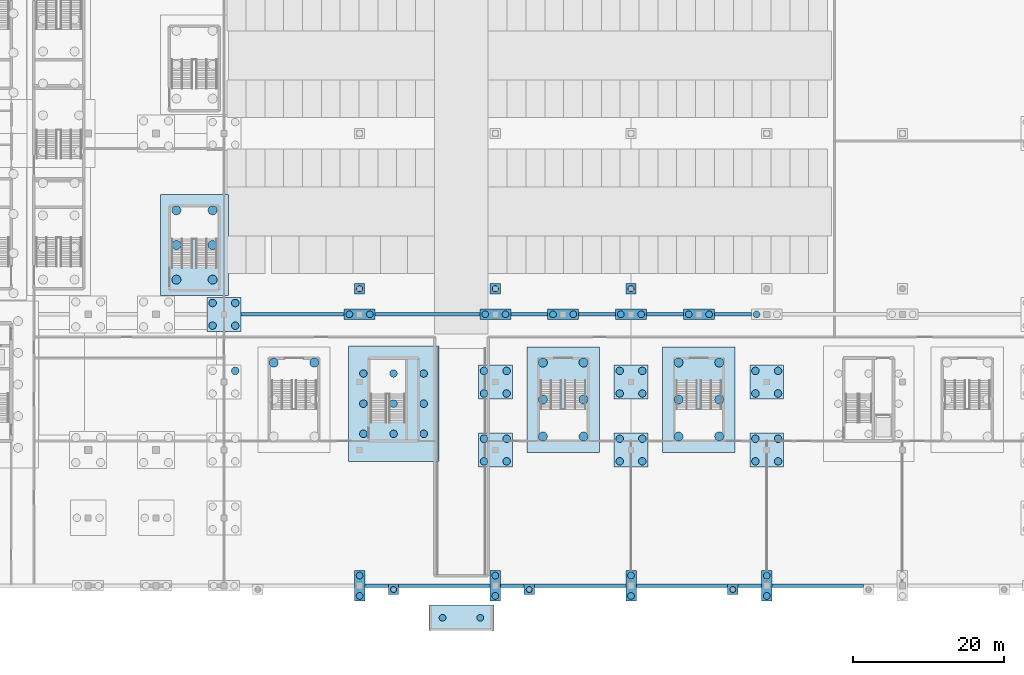
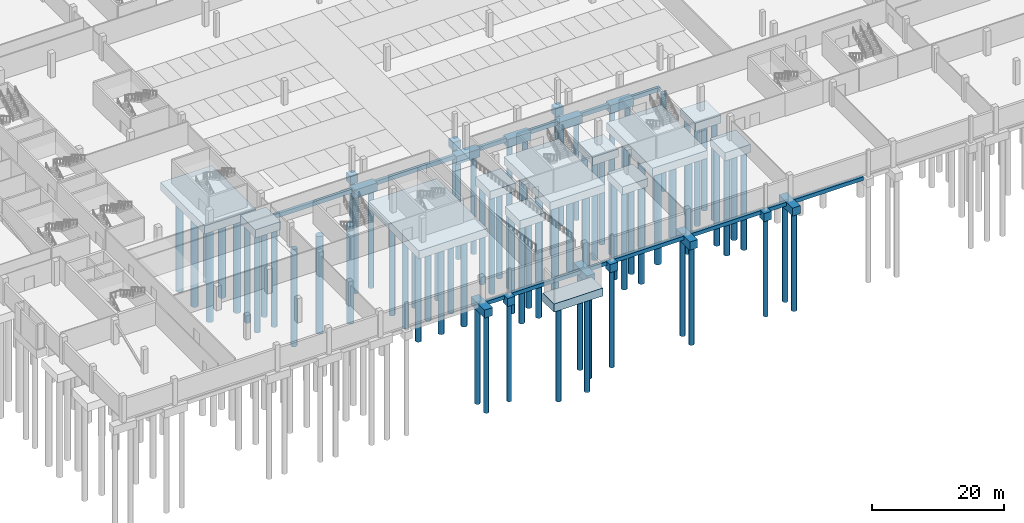
# One storey, part 2 of 46: 85 piles, 40 footings.
"""IFC4 building model written with IfcOpenShell, lengths in metres."""

from ifc_helpers import new_model, si_unit, direction, frame, origin, origin_2d, place, context, subcontext, project, spatial, polyline, circle, outline, extrude, material, material_profile, profile_set, type_object, element, save


model = new_model("IFC4")

# Units and contexts
model_context = context("Model", 3, precision=1e-05, world=origin(), true_north=direction((0.0, 1.0)))
body_context = subcontext(model_context, "Body", "Model", "MODEL_VIEW")
ifc_project = project(units=[si_unit("LENGTHUNIT", "METRE"), si_unit("AREAUNIT", "SQUARE_METRE"), si_unit("VOLUMEUNIT", "CUBIC_METRE"), si_unit("PLANEANGLEUNIT", "RADIAN"), si_unit("MASSUNIT", "GRAM", prefix="KILO")], contexts=[model_context])

# Site, building, storey
site_placement = place(None, origin())
site = spatial("IfcSite", under=ifc_project, at=site_placement, CompositionType="ELEMENT")
building_placement = place(site_placement, origin())
building = spatial("IfcBuilding", under=site, at=building_placement, Name="Kisiwana Market Hall", CompositionType="ELEMENT")
storey_placement = place(building_placement, frame((0.0, 0.0, -4.5)))
storey = spatial("IfcBuildingStorey", under=building, at=storey_placement, Name="B1", CompositionType="ELEMENT", Elevation=-4.5)

# Footings
ifc_material_1 = material(Name="Concrete C40/50", Category="concrete")
footing_type_1 = type_object("IfcFootingType", Name="FB-TIE-450x700", PredefinedType="FOOTING_BEAM", material=ifc_material_1)
footing_1_placement = place(storey_placement, frame((0.0, 0.0, -1.14990234375)))
element("IfcFooting", 1, at=footing_1_placement, inside=storey, type_object=footing_type_1, Name="Ground tie beam F-206", PredefinedType="FOOTING_BEAM", context=body_context, shape_type="SweptSolid", body=[
    extrude(outline(polyline([(63.699951171875, -0.22509765625), (66.824951171875, -0.22509765625), (66.824951171875, 0.22509765625), (63.699951171875, 0.22509765625), (63.699951171875, -0.22509765625)])), origin(), (0.0, 0.0, 1.0), 0.699951171875),
])
footing_2_placement = place(storey_placement, frame((0.0, 0.0, -1.14990234375)))
element("IfcFooting", 2, at=footing_2_placement, inside=storey, type_object=footing_type_1, Name="Ground tie beam F-207", PredefinedType="FOOTING_BEAM", context=body_context, shape_type="SweptSolid", body=[
    extrude(outline(polyline([(68.175048828125, -0.22509765625), (80.300048828125, -0.22509765625), (80.300048828125, 0.22509765625), (68.175048828125, 0.22509765625), (68.175048828125, -0.22509765625)])), origin(), (0.0, 0.0, 1.0), 0.699951171875),
])
footing_3_placement = place(storey_placement, frame((0.0, 0.0, -1.14990234375)))
element("IfcFooting", 3, at=footing_3_placement, inside=storey, type_object=footing_type_1, Name="Ground tie beam F-208", PredefinedType="FOOTING_BEAM", context=body_context, shape_type="SweptSolid", body=[
    extrude(outline(polyline([(81.699951171875, -0.22509765625), (84.824951171875, -0.22509765625), (84.824951171875, 0.22509765625), (81.699951171875, 0.22509765625), (81.699951171875, -0.22509765625)])), origin(), (0.0, 0.0, 1.0), 0.699951171875),
])
footing_4_placement = place(storey_placement, frame((0.0, 0.0, -1.14990234375)))
element("IfcFooting", 4, at=footing_4_placement, inside=storey, type_object=footing_type_1, Name="Ground tie beam F-209", PredefinedType="FOOTING_BEAM", context=body_context, shape_type="SweptSolid", body=[
    extrude(outline(polyline([(86.175048828125, -0.22509765625), (98.300048828125, -0.22509765625), (98.300048828125, 0.22509765625), (86.175048828125, 0.22509765625), (86.175048828125, -0.22509765625)])), origin(), (0.0, 0.0, 1.0), 0.699951171875),
])
footing_5_placement = place(storey_placement, frame((0.0, 0.0, -1.14990234375)))
element("IfcFooting", 5, at=footing_5_placement, inside=storey, type_object=footing_type_1, Name="Ground tie beam F-210", PredefinedType="FOOTING_BEAM", context=body_context, shape_type="SweptSolid", body=[
    extrude(outline(polyline([(99.699951171875, -0.22509765625), (111.824951171875, -0.22509765625), (111.824951171875, 0.22509765625), (99.699951171875, 0.22509765625), (99.699951171875, -0.22509765625)])), origin(), (0.0, 0.0, 1.0), 0.699951171875),
])
footing_6_placement = place(storey_placement, frame((0.0, 0.0, -1.14990234375)))
element("IfcFooting", 6, at=footing_6_placement, inside=storey, type_object=footing_type_1, Name="Ground tie beam F-211", PredefinedType="FOOTING_BEAM", context=body_context, shape_type="SweptSolid", body=[
    extrude(outline(polyline([(113.175048828125, -0.22509765625), (116.300048828125, -0.22509765625), (116.300048828125, 0.22509765625), (113.175048828125, 0.22509765625), (113.175048828125, -0.22509765625)])), origin(), (0.0, 0.0, 1.0), 0.699951171875),
])
footing_7_placement = place(storey_placement, frame((0.0, 0.0, -1.14990234375)))
element("IfcFooting", 7, at=footing_7_placement, inside=storey, type_object=footing_type_1, Name="Ground tie beam F-212", PredefinedType="FOOTING_BEAM", context=body_context, shape_type="SweptSolid", body=[
    extrude(outline(polyline([(117.699951171875, -0.22509765625), (129.824951171875, -0.22509765625), (129.824951171875, 0.22509765625), (117.699951171875, 0.22509765625), (117.699951171875, -0.22509765625)])), origin(), (0.0, 0.0, 1.0), 0.699951171875),
])
ifc_material_2 = material(Name="Concrete C40/50", Category="concrete")
footing_type_2 = type_object("IfcFootingType", Name="FB-TIE-500x750", PredefinedType="FOOTING_BEAM", material=ifc_material_2)
footing_8_placement = place(storey_placement, frame((0.0, 0.0, -1.199951171875)))
element("IfcFooting", 8, at=footing_8_placement, inside=storey, type_object=footing_type_2, Name="Ground tie beam F-224", PredefinedType="FOOTING_BEAM", context=body_context, shape_type="SweptSolid", body=[
    extrude(outline(polyline([(47.25, 35.75), (60.949951171875, 35.75), (60.949951171875, 36.25), (47.25, 36.25), (47.25, 35.75)])), origin(), (0.0, 0.0, 1.0), 0.75),
])
footing_9_placement = place(storey_placement, frame((0.0, 0.0, -1.199951171875)))
element("IfcFooting", 9, at=footing_9_placement, inside=storey, type_object=footing_type_2, Name="Ground tie beam F-225", PredefinedType="FOOTING_BEAM", context=body_context, shape_type="SweptSolid", body=[
    extrude(outline(polyline([(65.050048828125, 35.75), (78.949951171875, 35.75), (78.949951171875, 36.25), (65.050048828125, 36.25), (65.050048828125, 35.75)])), origin(), (0.0, 0.0, 1.0), 0.75),
])
footing_10_placement = place(storey_placement, frame((0.0, 0.0, -1.199951171875)))
element("IfcFooting", 10, at=footing_10_placement, inside=storey, type_object=footing_type_2, Name="Ground tie beam F-226", PredefinedType="FOOTING_BEAM", context=body_context, shape_type="SweptSolid", body=[
    extrude(outline(polyline([(83.050048828125, 35.75), (87.949951171875, 35.75), (87.949951171875, 36.25), (83.050048828125, 36.25), (83.050048828125, 35.75)])), origin(), (0.0, 0.0, 1.0), 0.75),
])
footing_11_placement = place(storey_placement, frame((0.0, 0.0, -1.199951171875)))
element("IfcFooting", 11, at=footing_11_placement, inside=storey, type_object=footing_type_2, Name="Ground tie beam F-227", PredefinedType="FOOTING_BEAM", context=body_context, shape_type="SweptSolid", body=[
    extrude(outline(polyline([(92.050048828125, 35.75), (96.949951171875, 35.75), (96.949951171875, 36.25), (92.050048828125, 36.25), (92.050048828125, 35.75)])), origin(), (0.0, 0.0, 1.0), 0.75),
])
footing_12_placement = place(storey_placement, frame((0.0, 0.0, -1.199951171875)))
element("IfcFooting", 12, at=footing_12_placement, inside=storey, type_object=footing_type_2, Name="Ground tie beam F-228", PredefinedType="FOOTING_BEAM", context=body_context, shape_type="SweptSolid", body=[
    extrude(outline(polyline([(101.050048828125, 35.75), (105.949951171875, 35.75), (105.949951171875, 36.25), (101.050048828125, 36.25), (101.050048828125, 35.75)])), origin(), (0.0, 0.0, 1.0), 0.75),
])
footing_13_placement = place(storey_placement, frame((0.0, 0.0, -1.199951171875)))
element("IfcFooting", 13, at=footing_13_placement, inside=storey, type_object=footing_type_2, Name="Ground tie beam F-229", PredefinedType="FOOTING_BEAM", context=body_context, shape_type="SweptSolid", body=[
    extrude(outline(polyline([(110.050048828125, 35.75), (114.949951171875, 35.75), (114.949951171875, 36.25), (110.050048828125, 36.25), (110.050048828125, 35.75)])), origin(), (0.0, 0.0, 1.0), 0.75),
])
ifc_material_3 = material(Name="Concrete C40/50", Category="concrete")
footing_type_3 = type_object("IfcFootingType", Name="PC-1P-800", PredefinedType="PILE_CAP", material=ifc_material_3)
footing_14_placement = place(storey_placement, frame((0.0, 0.0, -1.949951171875)))
element("IfcFooting", 14, at=footing_14_placement, inside=storey, type_object=footing_type_3, Name="Pilaster cap F-139", PredefinedType="PILE_CAP", context=body_context, shape_type="SweptSolid", body=[
    extrude(outline(polyline([(66.824951171875, -1.175048828125), (68.175048828125, -1.175048828125), (68.175048828125, 0.175048828125), (66.824951171875, 0.175048828125), (66.824951171875, -1.175048828125)])), origin(), (0.0, 0.0, 1.0), 1.5),
])
footing_15_placement = place(storey_placement, frame((0.0, 0.0, -1.949951171875)))
element("IfcFooting", 15, at=footing_15_placement, inside=storey, type_object=footing_type_3, Name="Pilaster cap F-140", PredefinedType="PILE_CAP", context=body_context, shape_type="SweptSolid", body=[
    extrude(outline(polyline([(84.824951171875, -1.175048828125), (86.175048828125, -1.175048828125), (86.175048828125, 0.175048828125), (84.824951171875, 0.175048828125), (84.824951171875, -1.175048828125)])), origin(), (0.0, 0.0, 1.0), 1.5),
])
footing_16_placement = place(storey_placement, frame((0.0, 0.0, -1.949951171875)))
element("IfcFooting", 16, at=footing_16_placement, inside=storey, type_object=footing_type_3, Name="Pilaster cap F-141", PredefinedType="PILE_CAP", context=body_context, shape_type="SweptSolid", body=[
    extrude(outline(polyline([(111.824951171875, -1.175048828125), (113.175048828125, -1.175048828125), (113.175048828125, 0.175048828125), (111.824951171875, 0.175048828125), (111.824951171875, -1.175048828125)])), origin(), (0.0, 0.0, 1.0), 1.5),
])
footing_17_placement = place(storey_placement, frame((0.0, 0.0, -1.949951171875)))
element("IfcFooting", 17, at=footing_17_placement, inside=storey, type_object=footing_type_3, Name="Gallery post cap F-150", PredefinedType="PILE_CAP", context=body_context, shape_type="SweptSolid", body=[
    extrude(outline(polyline([(62.324951171875, 38.72509765625), (63.675048828125, 38.72509765625), (63.675048828125, 40.074951171875), (62.324951171875, 40.074951171875), (62.324951171875, 38.72509765625)])), origin(), (0.0, 0.0, 1.0), 1.5),
])
footing_18_placement = place(storey_placement, frame((0.0, 0.0, -1.949951171875)))
element("IfcFooting", 18, at=footing_18_placement, inside=storey, type_object=footing_type_3, Name="Gallery post cap F-152", PredefinedType="PILE_CAP", context=body_context, shape_type="SweptSolid", body=[
    extrude(outline(polyline([(80.324951171875, 38.72509765625), (81.675048828125, 38.72509765625), (81.675048828125, 40.074951171875), (80.324951171875, 40.074951171875), (80.324951171875, 38.72509765625)])), origin(), (0.0, 0.0, 1.0), 1.5),
])
footing_19_placement = place(storey_placement, frame((0.0, 0.0, -1.949951171875)))
element("IfcFooting", 19, at=footing_19_placement, inside=storey, type_object=footing_type_3, Name="Gallery post cap F-154", PredefinedType="PILE_CAP", context=body_context, shape_type="SweptSolid", body=[
    extrude(outline(polyline([(98.324951171875, 38.72509765625), (99.675048828125, 38.72509765625), (99.675048828125, 40.074951171875), (98.324951171875, 40.074951171875), (98.324951171875, 38.72509765625)])), origin(), (0.0, 0.0, 1.0), 1.5),
])
ifc_material_4 = material(Name="Concrete C40/50", Category="concrete")
footing_type_4 = type_object("IfcFootingType", Name="PC-2P-900", PredefinedType="PILE_CAP", material=ifc_material_4)
footing_20_placement = place(storey_placement, frame((0.0, 0.0, -1.949951171875)))
element("IfcFooting", 20, at=footing_20_placement, inside=storey, type_object=footing_type_4, Name="Pile cap F-048 at E/8", PredefinedType="PILE_CAP", context=body_context, shape_type="SweptSolid", body=[
    extrude(outline(polyline([(60.949951171875, 35.300048828125), (65.050048828125, 35.300048828125), (65.050048828125, 36.699951171875), (60.949951171875, 36.699951171875), (60.949951171875, 35.300048828125)])), origin(), (0.0, 0.0, 1.0), 1.5),
])
footing_21_placement = place(storey_placement, frame((0.0, 0.0, -1.949951171875)))
element("IfcFooting", 21, at=footing_21_placement, inside=storey, type_object=footing_type_4, Name="Pile cap F-056 at E/10", PredefinedType="PILE_CAP", context=body_context, shape_type="SweptSolid", body=[
    extrude(outline(polyline([(78.949951171875, 35.300048828125), (83.050048828125, 35.300048828125), (83.050048828125, 36.699951171875), (78.949951171875, 36.699951171875), (78.949951171875, 35.300048828125)])), origin(), (0.0, 0.0, 1.0), 1.5),
])
footing_22_placement = place(storey_placement, frame((0.0, 0.0, -1.949951171875)))
element("IfcFooting", 22, at=footing_22_placement, inside=storey, type_object=footing_type_4, Name="Pile cap F-063 at E/11", PredefinedType="PILE_CAP", context=body_context, shape_type="SweptSolid", body=[
    extrude(outline(polyline([(87.949951171875, 35.300048828125), (92.050048828125, 35.300048828125), (92.050048828125, 36.699951171875), (87.949951171875, 36.699951171875), (87.949951171875, 35.300048828125)])), origin(), (0.0, 0.0, 1.0), 1.5),
])
footing_23_placement = place(storey_placement, frame((0.0, 0.0, -1.949951171875)))
element("IfcFooting", 23, at=footing_23_placement, inside=storey, type_object=footing_type_4, Name="Pile cap F-068 at E/12", PredefinedType="PILE_CAP", context=body_context, shape_type="SweptSolid", body=[
    extrude(outline(polyline([(96.949951171875, 35.300048828125), (101.050048828125, 35.300048828125), (101.050048828125, 36.699951171875), (96.949951171875, 36.699951171875), (96.949951171875, 35.300048828125)])), origin(), (0.0, 0.0, 1.0), 1.5),
])
footing_24_placement = place(storey_placement, frame((0.0, 0.0, -1.949951171875)))
element("IfcFooting", 24, at=footing_24_placement, inside=storey, type_object=footing_type_4, Name="Pile cap F-075 at E/13", PredefinedType="PILE_CAP", context=body_context, shape_type="SweptSolid", body=[
    extrude(outline(polyline([(105.949951171875, 35.300048828125), (110.050048828125, 35.300048828125), (110.050048828125, 36.699951171875), (105.949951171875, 36.699951171875), (105.949951171875, 35.300048828125)])), origin(), (0.0, 0.0, 1.0), 1.5),
])
footing_25_placement = place(storey_placement, frame((0.0, 0.0, -1.949951171875)))
element("IfcFooting", 25, at=footing_25_placement, inside=storey, type_object=footing_type_4, Name="Vehicle driveway apron foundation raft F-001", PredefinedType="PILE_CAP", context=body_context, shape_type="SweptSolid", body=[
    extrude(outline(polyline([(72.199951171875, -5.949951171875), (80.800048828125, -5.949951171875), (80.800048828125, -2.550048828125), (72.199951171875, -2.550048828125), (72.199951171875, -5.949951171875)])), origin(), (0.0, 0.0, 1.0), 1.5),
])
ifc_material_5 = material(Name="Concrete C40/50", Category="concrete")
footing_type_5 = type_object("IfcFootingType", Name="PC-2P-900V", PredefinedType="PILE_CAP", material=ifc_material_5)
footing_26_placement = place(storey_placement, frame((0.0, 0.0, -1.949951171875)))
element("IfcFooting", 26, at=footing_26_placement, inside=storey, type_object=footing_type_5, Name="Pile cap F-047 at A/8", PredefinedType="PILE_CAP", context=body_context, shape_type="SweptSolid", body=[
    extrude(outline(polyline([(62.300048828125, -2.050048828125), (63.699951171875, -2.050048828125), (63.699951171875, 2.050048828125), (62.300048828125, 2.050048828125), (62.300048828125, -2.050048828125)])), origin(), (0.0, 0.0, 1.0), 1.5),
])
footing_27_placement = place(storey_placement, frame((0.0, 0.0, -1.949951171875)))
element("IfcFooting", 27, at=footing_27_placement, inside=storey, type_object=footing_type_5, Name="Pile cap F-053 at A/10", PredefinedType="PILE_CAP", context=body_context, shape_type="SweptSolid", body=[
    extrude(outline(polyline([(80.300048828125, -2.050048828125), (81.699951171875, -2.050048828125), (81.699951171875, 2.050048828125), (80.300048828125, 2.050048828125), (80.300048828125, -2.050048828125)])), origin(), (0.0, 0.0, 1.0), 1.5),
])
footing_28_placement = place(storey_placement, frame((0.0, 0.0, -1.949951171875)))
element("IfcFooting", 28, at=footing_28_placement, inside=storey, type_object=footing_type_5, Name="Pile cap F-065 at A/12", PredefinedType="PILE_CAP", context=body_context, shape_type="SweptSolid", body=[
    extrude(outline(polyline([(98.300048828125, -2.050048828125), (99.699951171875, -2.050048828125), (99.699951171875, 2.050048828125), (98.300048828125, 2.050048828125), (98.300048828125, -2.050048828125)])), origin(), (0.0, 0.0, 1.0), 1.5),
])
footing_29_placement = place(storey_placement, frame((0.0, 0.0, -1.949951171875)))
element("IfcFooting", 29, at=footing_29_placement, inside=storey, type_object=footing_type_5, Name="Pile cap F-077 at A/14", PredefinedType="PILE_CAP", context=body_context, shape_type="SweptSolid", body=[
    extrude(outline(polyline([(116.300048828125, -2.050048828125), (117.699951171875, -2.050048828125), (117.699951171875, 2.050048828125), (116.300048828125, 2.050048828125), (116.300048828125, -2.050048828125)])), origin(), (0.0, 0.0, 1.0), 1.5),
])
ifc_material_6 = material(Name="Concrete C40/50", Category="concrete")
footing_type_6 = type_object("IfcFootingType", Name="PC-4P-1000", PredefinedType="PILE_CAP", material=ifc_material_6)
footing_30_placement = place(storey_placement, frame((0.0, 0.0, -1.949951171875)))
element("IfcFooting", 30, at=footing_30_placement, inside=storey, type_object=footing_type_6, Name="Pile cap F-039 at E/6", PredefinedType="PILE_CAP", context=body_context, shape_type="SweptSolid", body=[
    extrude(outline(polyline([(42.75, 33.75), (47.25, 33.75), (47.25, 38.25), (42.75, 38.25), (42.75, 33.75)])), origin(), (0.0, 0.0, 1.0), 1.5),
])
footing_31_placement = place(storey_placement, frame((0.0, 0.0, -1.949951171875)))
element("IfcFooting", 31, at=footing_31_placement, inside=storey, type_object=footing_type_6, Name="Pile cap F-054 at C/10", PredefinedType="PILE_CAP", context=body_context, shape_type="SweptSolid", body=[
    extrude(outline(polyline([(78.75, 15.75), (83.25, 15.75), (83.25, 20.25), (78.75, 20.25), (78.75, 15.75)])), origin(), (0.0, 0.0, 1.0), 1.5),
])
footing_32_placement = place(storey_placement, frame((0.0, 0.0, -1.949951171875)))
element("IfcFooting", 32, at=footing_32_placement, inside=storey, type_object=footing_type_6, Name="Pile cap F-055 at D/10", PredefinedType="PILE_CAP", context=body_context, shape_type="SweptSolid", body=[
    extrude(outline(polyline([(78.75, 24.75), (83.25, 24.75), (83.25, 29.25), (78.75, 29.25), (78.75, 24.75)])), origin(), (0.0, 0.0, 1.0), 1.5),
])
footing_33_placement = place(storey_placement, frame((0.0, 0.0, -1.949951171875)))
element("IfcFooting", 33, at=footing_33_placement, inside=storey, type_object=footing_type_6, Name="Pile cap F-066 at C/12", PredefinedType="PILE_CAP", context=body_context, shape_type="SweptSolid", body=[
    extrude(outline(polyline([(96.75, 15.75), (101.25, 15.75), (101.25, 20.25), (96.75, 20.25), (96.75, 15.75)])), origin(), (0.0, 0.0, 1.0), 1.5),
])
footing_34_placement = place(storey_placement, frame((0.0, 0.0, -1.949951171875)))
element("IfcFooting", 34, at=footing_34_placement, inside=storey, type_object=footing_type_6, Name="Pile cap F-067 at D/12", PredefinedType="PILE_CAP", context=body_context, shape_type="SweptSolid", body=[
    extrude(outline(polyline([(96.75, 24.75), (101.25, 24.75), (101.25, 29.25), (96.75, 29.25), (96.75, 24.75)])), origin(), (0.0, 0.0, 1.0), 1.5),
])
footing_35_placement = place(storey_placement, frame((0.0, 0.0, -1.949951171875)))
element("IfcFooting", 35, at=footing_35_placement, inside=storey, type_object=footing_type_6, Name="Pile cap F-078 at C/14", PredefinedType="PILE_CAP", context=body_context, shape_type="SweptSolid", body=[
    extrude(outline(polyline([(114.75, 15.75), (119.25, 15.75), (119.25, 20.25), (114.75, 20.25), (114.75, 15.75)])), origin(), (0.0, 0.0, 1.0), 1.5),
])
footing_36_placement = place(storey_placement, frame((0.0, 0.0, -1.949951171875)))
element("IfcFooting", 36, at=footing_36_placement, inside=storey, type_object=footing_type_6, Name="Pile cap F-079 at D/14", PredefinedType="PILE_CAP", context=body_context, shape_type="SweptSolid", body=[
    extrude(outline(polyline([(114.75, 24.75), (119.25, 24.75), (119.25, 29.25), (114.75, 29.25), (114.75, 24.75)])), origin(), (0.0, 0.0, 1.0), 1.5),
])
ifc_material_7 = material(Name="Concrete C40/50", Category="concrete")
footing_type_7 = type_object("IfcFootingType", Name="PC-ESC-RAFT", PredefinedType="PILE_CAP", material=ifc_material_7)
footing_37_placement = place(storey_placement, frame((0.0, 0.0, -1.949951171875)))
element("IfcFooting", 37, at=footing_37_placement, inside=storey, type_object=footing_type_7, Name="Core raft pile cap W9 F-193", PredefinedType="PILE_CAP", context=body_context, shape_type="SweptSolid", body=[
    extrude(outline(polyline([(36.60009765625, 38.5), (45.60009765625, 38.5), (45.60009765625, 51.89990234375), (36.60009765625, 51.89990234375), (36.60009765625, 38.5)])), origin(), (0.0, 0.0, 1.0), 1.5),
])
footing_38_placement = place(storey_placement, frame((0.0, 0.0, -1.949951171875)))
element("IfcFooting", 38, at=footing_38_placement, inside=storey, type_object=footing_type_7, Name="Core raft pile cap S4 F-182", PredefinedType="PILE_CAP", context=body_context, shape_type="SweptSolid", body=[
    extrude(outline(polyline([(85.199951171875, 17.699951171875), (94.800048828125, 17.699951171875), (94.800048828125, 31.699951171875), (85.199951171875, 31.699951171875), (85.199951171875, 17.699951171875)])), origin(), (0.0, 0.0, 1.0), 1.5),
])
footing_39_placement = place(storey_placement, frame((0.0, 0.0, -1.949951171875)))
element("IfcFooting", 39, at=footing_39_placement, inside=storey, type_object=footing_type_7, Name="Core raft pile cap S5 F-183", PredefinedType="PILE_CAP", context=body_context, shape_type="SweptSolid", body=[
    extrude(outline(polyline([(103.199951171875, 17.699951171875), (112.800048828125, 17.699951171875), (112.800048828125, 31.699951171875), (103.199951171875, 31.699951171875), (103.199951171875, 17.699951171875)])), origin(), (0.0, 0.0, 1.0), 1.5),
])
ifc_material_8 = material(Name="Concrete C40/50", Category="concrete")
footing_type_8 = type_object("IfcFootingType", Name="PC-POD-RAFT", PredefinedType="PILE_CAP", material=ifc_material_8)
footing_40_placement = place(storey_placement, frame((0.0, 0.0, -1.949951171875)))
element("IfcFooting", 40, at=footing_40_placement, inside=storey, type_object=footing_type_8, Name="Podium core pile cap S1 F-179", PredefinedType="PILE_CAP", context=body_context, shape_type="SweptSolid", body=[
    extrude(outline(polyline([(61.5, 16.5), (73.5, 16.5), (73.5, 31.800048828125), (61.5, 31.800048828125), (61.5, 16.5)])), origin(), (0.0, 0.0, 1.0), 1.5),
])

# Piles
ifc_material_9 = material(Name="Concrete C40/50", Category="concrete")
ifc_material_profile_1 = material_profile(ifc_material_9, circle(Radius=0.5, at=origin_2d()), Name="BP D1000")
ifc_profile_set_1 = profile_set([ifc_material_profile_1], Name="Concrete C40/50")
pile_type_1 = type_object("IfcPileType", Name="PILE-D1000", PredefinedType="BORED", material=ifc_profile_set_1)
for number, where, z_axis, x_axis, name in (
    (41, (63.5, 20.14990234375, -1.85009765625), (0.0, 0.0, -1.0), (1.0, 0.0, 0.0), "Bored pile P-061"),
    (42, (63.5, 24.14990234375, -1.85009765625), (0.0, 0.0, -1.0), (1.0, 0.0, 0.0), "Bored pile P-062"),
    (43, (63.5, 28.14990234375, -1.85009765625), (0.0, 0.0, -1.0), (1.0, 0.0, 0.0), "Bored pile P-063"),
    (44, (67.5, 20.14990234375, -1.85009765625), (0.0, 0.0, -1.0), (1.0, 0.0, 0.0), "Bored pile P-064"),
    (45, (67.5, 24.14990234375, -1.85009765625), (0.0, 0.0, -1.0), (1.0, 0.0, 0.0), "Bored pile P-065"),
    (46, (67.5, 28.14990234375, -1.85009765625), (0.0, 0.0, -1.0), (1.0, 0.0, 0.0), "Bored pile P-066"),
    (47, (71.5, 20.14990234375, -1.85009765625), (0.0, 0.0, -1.0), (1.0, 0.0, 0.0), "Bored pile P-067"),
    (48, (71.5, 24.14990234375, -1.85009765625), (0.0, 0.0, -1.0), (1.0, 0.0, 0.0), "Bored pile P-068"),
    (49, (71.5, 28.14990234375, -1.85009765625), (0.0, 0.0, -1.0), (1.0, 0.0, 0.0), "Bored pile P-069"),
    (50, (46.5, 28.5, -1.85009765625), (0.0, 0.0, -1.0), (1.0, 0.0, 0.0), "Bored pile P-200"),
    (51, (43.5, 34.5, -1.85009765625), (0.0, 0.0, -1.0), (1.0, 0.0, 0.0), "Bored pile P-201"),
    (52, (46.5, 34.5, -1.85009765625), (0.0, 0.0, -1.0), (1.0, 0.0, 0.0), "Bored pile P-202"),
    (53, (43.5, 37.5, -1.85009765625), (0.0, 0.0, -1.0), (1.0, 0.0, 0.0), "Bored pile P-203"),
    (54, (46.5, 37.5, -1.85009765625), (0.0, 0.0, -1.0), (1.0, 0.0, 0.0), "Bored pile P-204"),
    (55, (79.5, 16.5, -1.85009765625), (0.0, 0.0, -1.0), (1.0, 0.0, 0.0), "Bored pile P-238"),
    (56, (82.5, 16.5, -1.85009765625), (0.0, 0.0, -1.0), (1.0, 0.0, 0.0), "Bored pile P-239"),
    (57, (79.5, 19.5, -1.85009765625), (0.0, 0.0, -1.0), (1.0, 0.0, 0.0), "Bored pile P-240"),
    (58, (82.5, 19.5, -1.85009765625), (0.0, 0.0, -1.0), (1.0, 0.0, 0.0), "Bored pile P-241"),
    (59, (79.5, 25.5, -1.85009765625), (0.0, 0.0, -1.0), (1.0, 0.0, 0.0), "Bored pile P-242"),
    (60, (82.5, 25.5, -1.85009765625), (0.0, 0.0, -1.0), (1.0, 0.0, 0.0), "Bored pile P-243"),
    (61, (79.5, 28.5, -1.85009765625), (0.0, 0.0, -1.0), (1.0, 0.0, 0.0), "Bored pile P-244"),
    (62, (82.5, 28.5, -1.85009765625), (0.0, 0.0, -1.0), (1.0, 0.0, 0.0), "Bored pile P-245"),
    (63, (97.5, 16.5, -1.85009765625), (0.0, 0.0, -1.0), (1.0, 0.0, 0.0), "Bored pile P-263"),
    (64, (100.5, 16.5, -1.85009765625), (0.0, 0.0, -1.0), (1.0, 0.0, 0.0), "Bored pile P-264"),
    (65, (97.5, 19.5, -1.85009765625), (0.0, 0.0, -1.0), (1.0, 0.0, 0.0), "Bored pile P-265"),
    (66, (100.5, 19.5, -1.85009765625), (0.0, 0.0, -1.0), (1.0, 0.0, 0.0), "Bored pile P-266"),
    (67, (97.5, 25.5, -1.85009765625), (0.0, 0.0, -1.0), (1.0, 0.0, 0.0), "Bored pile P-267"),
    (68, (100.5, 25.5, -1.85009765625), (0.0, 0.0, -1.0), (1.0, 0.0, 0.0), "Bored pile P-268"),
    (69, (97.5, 28.5, -1.85009765625), (0.0, 0.0, -1.0), (1.0, 0.0, 0.0), "Bored pile P-269"),
    (70, (100.5, 28.5, -1.85009765625), (0.0, 0.0, -1.0), (1.0, 0.0, 0.0), "Bored pile P-270"),
    (71, (115.5, 16.5, -1.85009765625), (0.0, 0.0, -1.0), (1.0, 0.0, 0.0), "Bored pile P-288"),
    (72, (118.5, 16.5, -1.85009765625), (0.0, 0.0, -1.0), (1.0, 0.0, 0.0), "Bored pile P-289"),
    (73, (115.5, 19.5, -1.85009765625), (0.0, 0.0, -1.0), (1.0, 0.0, 0.0), "Bored pile P-290"),
    (74, (118.5, 19.5, -1.85009765625), (0.0, 0.0, -1.0), (1.0, 0.0, 0.0), "Bored pile P-291"),
    (75, (115.5, 25.5, -1.85009765625), (0.0, 0.0, -1.0), (1.0, 0.0, 0.0), "Bored pile P-292"),
    (76, (118.5, 25.5, -1.85009765625), (0.0, 0.0, -1.0), (1.0, 0.0, 0.0), "Bored pile P-293"),
    (77, (115.5, 28.5, -1.85009765625), (0.0, 0.0, -1.0), (1.0, 0.0, 0.0), "Bored pile P-294"),
    (78, (118.5, 28.5, -1.85009765625), (0.0, 0.0, -1.0), (1.0, 0.0, 0.0), "Bored pile P-295"),
):
    element("IfcPile", number, at=place(storey_placement, frame(where, z_axis=z_axis, x_axis=x_axis)), inside=storey, type_object=pile_type_1, Name=name, PredefinedType="BORED", context=body_context, shape_type="SweptSolid", body=[
        extrude(circle(Radius=0.5, at=origin_2d()), origin(), (0.0, 0.0, 1.0), 18.10009765625),
    ])
ifc_material_10 = material(Name="Concrete C40/50", Category="concrete")
ifc_material_profile_2 = material_profile(ifc_material_10, circle(Radius=0.60009765625, at=origin_2d()), Name="BP D1200")
ifc_profile_set_2 = profile_set([ifc_material_profile_2], Name="Concrete C40/50")
pile_type_2 = type_object("IfcPileType", Name="PILE-D1200", PredefinedType="BORED", material=ifc_profile_set_2)
for number, where, z_axis, x_axis, name in (
    (79, (38.699951171875, 40.60009765625, -1.85009765625), (0.0, 0.0, -1.0), (1.0, 0.0, 0.0), "Bored pile P-534"),
    (80, (38.699951171875, 45.199951171875, -1.85009765625), (0.0, 0.0, -1.0), (1.0, 0.0, 0.0), "Bored pile P-535"),
    (81, (38.699951171875, 49.800048828125, -1.85009765625), (0.0, 0.0, -1.0), (1.0, 0.0, 0.0), "Bored pile P-536"),
    (82, (43.5, 40.60009765625, -1.85009765625), (0.0, 0.0, -1.0), (1.0, 0.0, 0.0), "Bored pile P-537"),
    (83, (43.5, 45.199951171875, -1.85009765625), (0.0, 0.0, -1.0), (1.0, 0.0, 0.0), "Bored pile P-538"),
    (84, (43.5, 49.800048828125, -1.85009765625), (0.0, 0.0, -1.0), (1.0, 0.0, 0.0), "Bored pile P-539"),
    (85, (51.60009765625, 29.60009765625, -1.85009765625), (0.0, 0.0, -1.0), (1.0, 0.0, 0.0), "Bored pile P-568"),
    (86, (57.0, 29.60009765625, -1.85009765625), (0.0, 0.0, -1.0), (1.0, 0.0, 0.0), "Bored pile P-571"),
    (87, (87.300048828125, 19.800048828125, -1.85009765625), (0.0, 0.0, -1.0), (1.0, 0.0, 0.0), "Bored pile P-578"),
    (88, (87.300048828125, 24.699951171875, -1.85009765625), (0.0, 0.0, -1.0), (1.0, 0.0, 0.0), "Bored pile P-579"),
    (89, (87.300048828125, 29.60009765625, -1.85009765625), (0.0, 0.0, -1.0), (1.0, 0.0, 0.0), "Bored pile P-580"),
    (90, (92.699951171875, 19.800048828125, -1.85009765625), (0.0, 0.0, -1.0), (1.0, 0.0, 0.0), "Bored pile P-581"),
    (91, (92.699951171875, 24.699951171875, -1.85009765625), (0.0, 0.0, -1.0), (1.0, 0.0, 0.0), "Bored pile P-582"),
    (92, (92.699951171875, 29.60009765625, -1.85009765625), (0.0, 0.0, -1.0), (1.0, 0.0, 0.0), "Bored pile P-583"),
    (93, (105.300048828125, 19.800048828125, -1.85009765625), (0.0, 0.0, -1.0), (1.0, 0.0, 0.0), "Bored pile P-590"),
    (94, (105.300048828125, 24.699951171875, -1.85009765625), (0.0, 0.0, -1.0), (1.0, 0.0, 0.0), "Bored pile P-591"),
    (95, (105.300048828125, 29.60009765625, -1.85009765625), (0.0, 0.0, -1.0), (1.0, 0.0, 0.0), "Bored pile P-592"),
    (96, (110.699951171875, 19.800048828125, -1.85009765625), (0.0, 0.0, -1.0), (1.0, 0.0, 0.0), "Bored pile P-593"),
    (97, (110.699951171875, 24.699951171875, -1.85009765625), (0.0, 0.0, -1.0), (1.0, 0.0, 0.0), "Bored pile P-594"),
    (98, (110.699951171875, 29.60009765625, -1.85009765625), (0.0, 0.0, -1.0), (1.0, 0.0, 0.0), "Bored pile P-595"),
):
    element("IfcPile", number, at=place(storey_placement, frame(where, z_axis=z_axis, x_axis=x_axis)), inside=storey, type_object=pile_type_2, Name=name, PredefinedType="BORED", context=body_context, shape_type="SweptSolid", body=[
        extrude(circle(Radius=0.60009765625, at=origin_2d()), origin(), (0.0, 0.0, 1.0), 18.10009765625),
    ])
ifc_material_11 = material(Name="Concrete C40/50", Category="concrete")
ifc_material_profile_3 = material_profile(ifc_material_11, circle(Radius=0.39990234375, at=origin_2d()), Name="BP D800")
ifc_profile_set_3 = profile_set([ifc_material_profile_3], Name="Concrete C40/50")
pile_type_3 = type_object("IfcPileType", Name="PILE-D800", PredefinedType="BORED", material=ifc_profile_set_3)
for number, where, z_axis, x_axis, name in (
    (99, (67.5, -0.5, -1.85009765625), (0.0, 0.0, -1.0), (1.0, 0.0, 0.0), "Bored pile P-447"),
    (100, (85.5, -0.5, -1.85009765625), (0.0, 0.0, -1.0), (1.0, 0.0, 0.0), "Bored pile P-448"),
    (101, (112.5, -0.5, -1.85009765625), (0.0, 0.0, -1.0), (1.0, 0.0, 0.0), "Bored pile P-449"),
    (102, (63.0, 39.39990234375, -1.85009765625), (0.0, 0.0, -1.0), (1.0, 0.0, 0.0), "Bored pile P-458"),
    (103, (81.0, 39.39990234375, -1.85009765625), (0.0, 0.0, -1.0), (1.0, 0.0, 0.0), "Bored pile P-460"),
    (104, (99.0, 39.39990234375, -1.85009765625), (0.0, 0.0, -1.0), (1.0, 0.0, 0.0), "Bored pile P-462"),
):
    element("IfcPile", number, at=place(storey_placement, frame(where, z_axis=z_axis, x_axis=x_axis)), inside=storey, type_object=pile_type_3, Name=name, PredefinedType="BORED", context=body_context, shape_type="SweptSolid", body=[
        extrude(circle(Radius=0.39990234375, at=origin_2d()), origin(), (0.0, 0.0, 1.0), 18.10009765625),
    ])
ifc_material_12 = material(Name="Concrete C40/50", Category="concrete")
ifc_material_profile_4 = material_profile(ifc_material_12, circle(Radius=0.449951171875, at=origin_2d()), Name="BP D900")
ifc_profile_set_4 = profile_set([ifc_material_profile_4], Name="Concrete C40/50")
pile_type_4 = type_object("IfcPileType", Name="PILE-D900", PredefinedType="BORED", material=ifc_profile_set_4)
for number, where, z_axis, x_axis, name in (
    (105, (63.0, -1.35009765625, -1.85009765625), (0.0, 0.0, -1.0), (1.0, 0.0, 0.0), "Bored pile P-227"),
    (106, (63.0, 1.35009765625, -1.85009765625), (0.0, 0.0, -1.0), (1.0, 0.0, 0.0), "Bored pile P-228"),
    (107, (61.64990234375, 36.0, -1.85009765625), (0.0, 0.0, -1.0), (1.0, 0.0, 0.0), "Bored pile P-229"),
    (108, (64.35009765625, 36.0, -1.85009765625), (0.0, 0.0, -1.0), (1.0, 0.0, 0.0), "Bored pile P-230"),
    (109, (81.0, -1.35009765625, -1.85009765625), (0.0, 0.0, -1.0), (1.0, 0.0, 0.0), "Bored pile P-236"),
    (110, (81.0, 1.35009765625, -1.85009765625), (0.0, 0.0, -1.0), (1.0, 0.0, 0.0), "Bored pile P-237"),
    (111, (79.64990234375, 36.0, -1.85009765625), (0.0, 0.0, -1.0), (1.0, 0.0, 0.0), "Bored pile P-246"),
    (112, (82.35009765625, 36.0, -1.85009765625), (0.0, 0.0, -1.0), (1.0, 0.0, 0.0), "Bored pile P-247"),
    (113, (88.64990234375, 36.0, -1.85009765625), (0.0, 0.0, -1.0), (1.0, 0.0, 0.0), "Bored pile P-257"),
    (114, (91.35009765625, 36.0, -1.85009765625), (0.0, 0.0, -1.0), (1.0, 0.0, 0.0), "Bored pile P-258"),
    (115, (99.0, -1.35009765625, -1.85009765625), (0.0, 0.0, -1.0), (1.0, 0.0, 0.0), "Bored pile P-261"),
    (116, (99.0, 1.35009765625, -1.85009765625), (0.0, 0.0, -1.0), (1.0, 0.0, 0.0), "Bored pile P-262"),
    (117, (97.64990234375, 36.0, -1.85009765625), (0.0, 0.0, -1.0), (1.0, 0.0, 0.0), "Bored pile P-271"),
    (118, (100.35009765625, 36.0, -1.85009765625), (0.0, 0.0, -1.0), (1.0, 0.0, 0.0), "Bored pile P-272"),
    (119, (106.64990234375, 36.0, -1.85009765625), (0.0, 0.0, -1.0), (1.0, 0.0, 0.0), "Bored pile P-282"),
    (120, (109.35009765625, 36.0, -1.85009765625), (0.0, 0.0, -1.0), (1.0, 0.0, 0.0), "Bored pile P-283"),
    (121, (117.0, -1.35009765625, -1.85009765625), (0.0, 0.0, -1.0), (1.0, 0.0, 0.0), "Bored pile P-286"),
    (122, (117.0, 1.35009765625, -1.85009765625), (0.0, 0.0, -1.0), (1.0, 0.0, 0.0), "Bored pile P-287"),
    (123, (115.64990234375, 36.0, -1.85009765625), (0.0, 0.0, -1.0), (1.0, 0.0, 0.0), "Bored pile P-296"),
    (124, (74.0, -4.25, -1.85009765625), (0.0, 0.0, -1.0), (1.0, 0.0, 0.0), "Vehicle apron bored pile 1 P-468"),
    (125, (79.0, -4.25, -1.85009765625), (0.0, 0.0, -1.0), (1.0, 0.0, 0.0), "Vehicle apron bored pile 2 P-469"),
):
    element("IfcPile", number, at=place(storey_placement, frame(where, z_axis=z_axis, x_axis=x_axis)), inside=storey, type_object=pile_type_4, Name=name, PredefinedType="BORED", context=body_context, shape_type="SweptSolid", body=[
        extrude(circle(Radius=0.449951171875, at=origin_2d()), origin(), (0.0, 0.0, 1.0), 18.10009765625),
    ])

save(model, "model.ifc")
